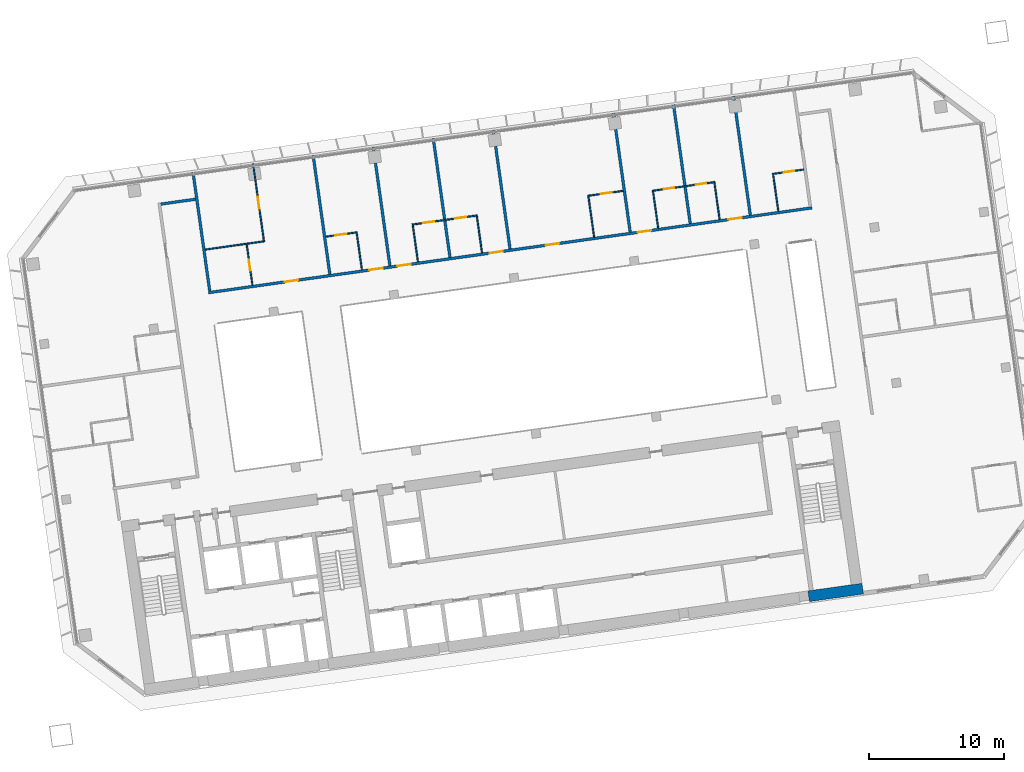
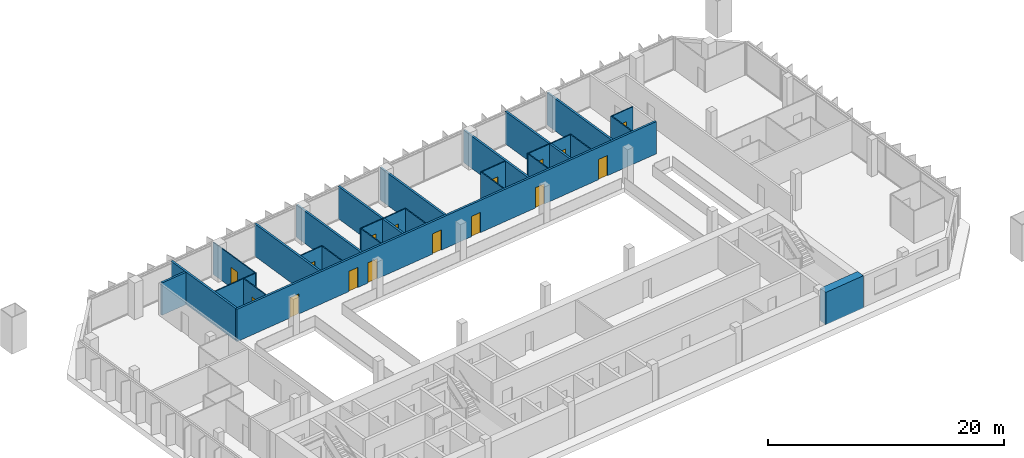
# One storey, part 20 of 24: 26 walls, 16 doors, 16 openings.
"""IFC4 building model written with IfcOpenShell, lengths in metres."""

import ifcopenshell
import ifcopenshell.guid

model = None  # the IFC model being written
_history = None  # IfcOwnerHistory: only IFC2X3 demands one
_inside = {}  # id of a spatial element -> (the spatial element, [elements in it])
_under = {}  # id of a project, library or spatial element -> (it, [spatial elements below it])
_declared = {}  # id of a project -> (the project, [libraries it declares])
_typed = {}  # id of a type object -> (the type object, [elements of that type])
_made_of = {}  # id of a material, layer set ... -> (it, [elements and type objects made of it])


def new_model(schema):
    """Start an empty IFC model of exactly this schema.

    Asked for "IFC4X3", IfcOpenShell would pick the latest addendum, in which some entities
    have other attributes; the version numbers below select the first issue.
    IFC2X3 requires an IfcOwnerHistory on every rooted entity: one is made here for all.
    """
    global model, _history
    if schema == "IFC4X3":
        model = ifcopenshell.file(schema_version=(4, 3, 0, 0))
    else:
        model = ifcopenshell.file(schema=schema)
    _inside.clear()
    _under.clear()
    _declared.clear()
    _typed.clear()
    _made_of.clear()
    _history = None
    if model.schema == "IFC2X3":
        org = make("IfcOrganization", Name="unknown")
        user = make(
            "IfcPersonAndOrganization",
            ThePerson=make("IfcPerson", FamilyName="unknown"),
            TheOrganization=org,
        )
        app = make(
            "IfcApplication",
            ApplicationDeveloper=org,
            Version="unknown",
            ApplicationFullName="unknown",
            ApplicationIdentifier="unknown",
        )
        _history = make(
            "IfcOwnerHistory",
            OwningUser=user,
            OwningApplication=app,
            ChangeAction="ADDED",
            CreationDate=0,
        )
    return model


def make(cls, **values):
    """One entity of the class cls with the attributes given. An attribute that is None is left unset."""
    return model.create_entity(
        cls, **{name: value for name, value in values.items() if value is not None}
    )


def rooted(cls, **values):
    """An entity with a GlobalId (a new one), such as an element, a storey or a relation."""
    return make(cls, GlobalId=ifcopenshell.guid.new(), OwnerHistory=_history, **values)


def si_unit(unit_type, name, prefix=None):
    """IfcSIUnit, for example si_unit("LENGTHUNIT", "METRE", prefix="MILLI")."""
    return make("IfcSIUnit", UnitType=unit_type, Prefix=prefix, Name=name)


def assignment(units):
    """IfcUnitAssignment: the units of a project."""
    return None if units is None else make("IfcUnitAssignment", Units=units)


def point(xyz):
    """IfcCartesianPoint."""
    return None if xyz is None else make("IfcCartesianPoint", Coordinates=xyz)


def direction(xyz):
    """IfcDirection."""
    return None if xyz is None else make("IfcDirection", DirectionRatios=xyz)


def frame(location, z_axis=None, x_axis=None):
    """IfcAxis2Placement3D, a coordinate frame: its origin and axes. An axis left out is left unset."""
    return make(
        "IfcAxis2Placement3D",
        Location=point(location),
        Axis=direction(z_axis),
        RefDirection=direction(x_axis),
    )


def frame_2d(location, x_axis=None):
    """IfcAxis2Placement2D, a coordinate frame in the plane: its origin and x axis."""
    return make(
        "IfcAxis2Placement2D", Location=point(location), RefDirection=direction(x_axis)
    )


def origin():
    """The frame at (0, 0, 0) with its axes left unset."""
    return frame((0.0, 0.0, 0.0))


def place(relative_to, where):
    """IfcLocalPlacement: puts the frame where relative to a parent placement (None: the world)."""
    return make(
        "IfcLocalPlacement", PlacementRelTo=relative_to, RelativePlacement=where
    )


def context(
    kind, dimensions, precision=None, world=None, true_north=None, identifier=None
):
    """IfcGeometricRepresentationContext, for example the 3D "Model" context."""
    return make(
        "IfcGeometricRepresentationContext",
        ContextIdentifier=identifier,
        ContextType=kind,
        CoordinateSpaceDimension=dimensions,
        Precision=precision,
        WorldCoordinateSystem=world,
        TrueNorth=true_north,
    )


def subcontext(parent, identifier, kind, view, scale=None):
    """IfcGeometricRepresentationSubContext, for example "Body" below "Model"."""
    return make(
        "IfcGeometricRepresentationSubContext",
        ContextIdentifier=identifier,
        ContextType=kind,
        ParentContext=parent,
        TargetScale=scale,
        TargetView=view,
    )


def project(units=None, contexts=None):
    """IfcProject with its units and contexts."""
    return rooted(
        "IfcProject",
        Name="project",
        RepresentationContexts=contexts,
        UnitsInContext=assignment(units),
    )


def spatial(cls, under=None, at=None, **own):
    """A site, building, storey or space (cls), placed at a placement, below another one or the project."""
    s = rooted(cls, ObjectPlacement=at, **own)
    if under is not None:
        _under.setdefault(under.id(), (under, []))[1].append(s)
    return s


def profile(cls, at=None, kind="AREA", **sizes):
    """A parametric profile (cls). Its sizes go by their IFC names, for example OverallWidth=200.0."""
    return make(cls, ProfileType=kind, Position=at, **sizes)


def rectangle(**sizes):
    """IfcRectangleProfileDef."""
    return profile("IfcRectangleProfileDef", **sizes)


def extrude(swept, where, along, depth):
    """IfcExtrudedAreaSolid: the profile swept, set in the frame where, extruded along a direction by depth."""
    return make(
        "IfcExtrudedAreaSolid",
        SweptArea=swept,
        Position=where,
        ExtrudedDirection=direction(along),
        Depth=depth,
    )


def shape(context_of_items, identifier, shape_type, items):
    """IfcShapeRepresentation: the items that make up one representation, for example the "Body"."""
    return make(
        "IfcShapeRepresentation",
        ContextOfItems=context_of_items,
        RepresentationIdentifier=identifier,
        RepresentationType=shape_type,
        Items=items,
    )


def material(Name=None, Category=None):
    """IfcMaterial."""
    return make("IfcMaterial", Name=Name, Category=Category)


def layer(
    of_material, thickness, ventilated=None, Name=None, Category=None, Priority=None
):
    """IfcMaterialLayer: one layer of a wall or slab, of a material (None: an air gap)."""
    return make(
        "IfcMaterialLayer",
        Material=of_material,
        LayerThickness=thickness,
        IsVentilated=ventilated,
        Name=Name,
        Category=Category,
        Priority=Priority,
    )


def layer_set(layers, Name=None):
    """IfcMaterialLayerSet."""
    return make("IfcMaterialLayerSet", MaterialLayers=layers, LayerSetName=Name)


def made_of(thing, what):
    """Note that an element or type object is made of a material, layer set ...; save() writes the relation."""
    if what is not None:
        _made_of.setdefault(what.id(), (what, []))[1].append(thing)
    return thing


def type_object(cls, material=None, **own):
    """A type object (cls), such as IfcWallType, which elements share."""
    return made_of(rooted(cls, **own), material)


def element(
    cls,
    number,
    at=None,
    inside=None,
    cuts=None,
    type_object=None,
    material=None,
    context=None,
    identifier="Body",
    shape_type=None,
    held_by="IfcProductDefinitionShape",
    body=None,
    shapes=None,
    **own,
):
    """One element of the class cls, such as IfcWall. Its Tag is "e" and its number.

    at: its placement. inside: the storey or other place that contains it. cuts: it is an
    opening in that element (IfcRelVoidsElement). A single representation is given by context,
    identifier, shape_type and body (its items); several are given by shapes. held_by: the class
    of the entity that holds the representations. save() writes the other relations.
    """
    e = rooted(cls, Tag="e%d" % number, ObjectPlacement=at, **own)
    if body is not None:
        shapes = [shape(context, identifier, shape_type, body)]
    if shapes is not None:
        e.Representation = make(held_by, Representations=shapes)
    if inside is not None:
        _inside.setdefault(inside.id(), (inside, []))[1].append(e)
    if cuts is not None:
        rooted(
            "IfcRelVoidsElement", RelatingBuildingElement=cuts, RelatedOpeningElement=e
        )
    if type_object is not None:
        _typed.setdefault(type_object.id(), (type_object, []))[1].append(e)
    return made_of(e, material)


def fill(opening, filler):
    """IfcRelFillsElement: the door or window that sits in an opening."""
    return rooted(
        "IfcRelFillsElement",
        RelatingOpeningElement=opening,
        RelatedBuildingElement=filler,
    )


def aggregate(whole, parts):
    """IfcRelAggregates: a whole, such as a stair, and the parts it consists of."""
    return rooted("IfcRelAggregates", RelatingObject=whole, RelatedObjects=parts)


def save(model, path):
    """Write the relations noted so far, then the file.

    IfcRelAggregates (storeys below a building ...), IfcRelContainedInSpatialStructure (elements
    in a storey), IfcRelDefinesByType, IfcRelAssociatesMaterial and IfcRelDeclares: one each for
    every whole, place, type object, material and project.
    """
    for whole, parts in _under.values():
        aggregate(whole, parts)
    for where, things in _inside.values():
        rooted(
            "IfcRelContainedInSpatialStructure",
            RelatedElements=things,
            RelatingStructure=where,
        )
    for kind, things in _typed.values():
        rooted("IfcRelDefinesByType", RelatedObjects=things, RelatingType=kind)
    for what, things in _made_of.values():
        rooted("IfcRelAssociatesMaterial", RelatedObjects=things, RelatingMaterial=what)
    for by, libraries in _declared.values():
        rooted("IfcRelDeclares", RelatingContext=by, RelatedDefinitions=libraries)
    model.write(path)


model = new_model("IFC4")

# Units and contexts
model_context = context("Model", 3, precision=1e-05, world=origin(), true_north=direction((0.0, 1.0)))
body_context = subcontext(model_context, "Body", "Model", "MODEL_VIEW")
ifc_project = project(units=[si_unit("LENGTHUNIT", "METRE"), si_unit("AREAUNIT", "SQUARE_METRE"), si_unit("VOLUMEUNIT", "CUBIC_METRE"), si_unit("PLANEANGLEUNIT", "RADIAN"), si_unit("MASSUNIT", "GRAM", prefix="KILO")], contexts=[model_context])

# Site, building, storey
site_placement = place(None, origin())
site = spatial("IfcSite", under=ifc_project, at=site_placement, CompositionType="ELEMENT")
building_placement = place(site_placement, origin())
building = spatial("IfcBuilding", under=site, at=building_placement, Name="Mirante Cascada Hotel Towers", CompositionType="ELEMENT")
storey_placement = place(building_placement, frame((0.0, 0.0, 132.9)))
storey = spatial("IfcBuildingStorey", under=building, at=storey_placement, Name="L30", CompositionType="ELEMENT", Elevation=132.9)

# Wall, openings, doors
ifc_material_1 = material(Name="Fire-rated plasterboard on metal studs")
ifc_layer_1 = layer(ifc_material_1, 0.2)
ifc_layer_set_1 = layer_set([ifc_layer_1], Name="Compartment wall 200 EI 120")
wall_type_1 = type_object("IfcWallType", Name="Compartment wall 200 EI 120", PredefinedType="PARTITIONING", material=ifc_layer_set_1)
wall_1_placement = place(storey_placement, frame((86.638, 16.0582, 0.0), z_axis=(0.0, 0.0, 1.0), x_axis=(-0.9902681, -0.1391726, 0.0)))
wall_1 = element("IfcWall", 1, at=wall_1_placement, inside=storey, type_object=wall_type_1, Name="Wall 2-L30-12", PredefinedType="PARTITIONING", context=body_context, shape_type="SweptSolid", body=[
    extrude(rectangle(XDim=45.2, YDim=0.2, at=frame_2d((22.6, 0.0))), origin(), (0.0, 0.0, 1.0), 3.35),
])
opening_1_placement = place(wall_1_placement, frame((38.5, 0.0, 0.0)))
opening_1 = element("IfcOpeningElement", 2, at=opening_1_placement, cuts=wall_1, Name="Opening D2-L30-04", PredefinedType="OPENING", context=body_context, shape_type="SweptSolid", body=[
    extrude(rectangle(XDim=1.0, YDim=2.1, at=frame_2d((0.5, 1.05))), frame((0.0, 0.1, 0.0), z_axis=(0.0, -1.0, 0.0), x_axis=(1.0, 0.0, 0.0)), (0.0, 0.0, 1.0), 0.2),
])
opening_2_placement = place(wall_1_placement, frame((32.15, 0.0, 0.0)))
opening_2 = element("IfcOpeningElement", 3, at=opening_2_placement, cuts=wall_1, Name="Opening D2-L30-05", PredefinedType="OPENING", context=body_context, shape_type="SweptSolid", body=[
    extrude(rectangle(XDim=1.0, YDim=2.1, at=frame_2d((0.5, 1.05))), frame((0.0, 0.1, 0.0), z_axis=(0.0, -1.0, 0.0), x_axis=(1.0, 0.0, 0.0)), (0.0, 0.0, 1.0), 0.2),
])
opening_3_placement = place(wall_1_placement, frame((30.05, 0.0, 0.0)))
opening_3 = element("IfcOpeningElement", 4, at=opening_3_placement, cuts=wall_1, Name="Opening D2-L30-06", PredefinedType="OPENING", context=body_context, shape_type="SweptSolid", body=[
    extrude(rectangle(XDim=1.0, YDim=2.1, at=frame_2d((0.5, 1.05))), frame((0.0, 0.1, 0.0), z_axis=(0.0, -1.0, 0.0), x_axis=(1.0, 0.0, 0.0)), (0.0, 0.0, 1.0), 0.2),
])
opening_4_placement = place(wall_1_placement, frame((23.15, 0.0, 0.0)))
opening_4 = element("IfcOpeningElement", 5, at=opening_4_placement, cuts=wall_1, Name="Opening D2-L30-07", PredefinedType="OPENING", context=body_context, shape_type="SweptSolid", body=[
    extrude(rectangle(XDim=1.0, YDim=2.1, at=frame_2d((0.5, 1.05))), frame((0.0, 0.1, 0.0), z_axis=(0.0, -1.0, 0.0), x_axis=(1.0, 0.0, 0.0)), (0.0, 0.0, 1.0), 0.2),
])
opening_5_placement = place(wall_1_placement, frame((18.95, 0.0, 0.0)))
opening_5 = element("IfcOpeningElement", 6, at=opening_5_placement, cuts=wall_1, Name="Opening D2-L30-08", PredefinedType="OPENING", context=body_context, shape_type="SweptSolid", body=[
    extrude(rectangle(XDim=1.0, YDim=2.1, at=frame_2d((0.5, 1.05))), frame((0.0, 0.1, 0.0), z_axis=(0.0, -1.0, 0.0), x_axis=(1.0, 0.0, 0.0)), (0.0, 0.0, 1.0), 0.2),
])
opening_6_placement = place(wall_1_placement, frame((12.05, 0.0, 0.0)))
opening_6 = element("IfcOpeningElement", 7, at=opening_6_placement, cuts=wall_1, Name="Opening D2-L30-09", PredefinedType="OPENING", context=body_context, shape_type="SweptSolid", body=[
    extrude(rectangle(XDim=1.0, YDim=2.1, at=frame_2d((0.5, 1.05))), frame((0.0, 0.1, 0.0), z_axis=(0.0, -1.0, 0.0), x_axis=(1.0, 0.0, 0.0)), (0.0, 0.0, 1.0), 0.2),
])
opening_7_placement = place(wall_1_placement, frame((5.25, 0.0, 0.0)))
opening_7 = element("IfcOpeningElement", 8, at=opening_7_placement, cuts=wall_1, Name="Opening D2-L30-10", PredefinedType="OPENING", context=body_context, shape_type="SweptSolid", body=[
    extrude(rectangle(XDim=1.0, YDim=2.1, at=frame_2d((0.5, 1.05))), frame((0.0, 0.1, 0.0), z_axis=(0.0, -1.0, 0.0), x_axis=(1.0, 0.0, 0.0)), (0.0, 0.0, 1.0), 0.2),
])
ifc_material_2 = material(Name="Fire-rated timber door leaf", Category="wood")
door_type_1 = type_object("IfcDoorType", Name="Entrance door DG1 1000x2100 EI 60", OperationType="SINGLE_SWING_LEFT", PredefinedType="DOOR", material=ifc_material_2)
door_1_placement = place(opening_1_placement, frame((1.0, 0.0, 0.0), z_axis=(0.0, 0.0, 1.0), x_axis=(-1.0, 0.0, 0.0)))
door_1 = element("IfcDoor", 9, at=door_1_placement, inside=storey, type_object=door_type_1, Name="Door D2-L30-04", OperationType="SINGLE_SWING_RIGHT", OverallHeight=2.1, OverallWidth=1.0, PredefinedType="DOOR", context=body_context, shape_type="SweptSolid", body=[
    extrude(rectangle(XDim=1.0, YDim=2.1, at=frame_2d((0.5, 1.05))), frame((0.0, 0.025, 0.0), z_axis=(0.0, -1.0, 0.0), x_axis=(1.0, 0.0, 0.0)), (0.0, 0.0, 1.0), 0.05),
])
fill(opening_1, door_1)
door_2_placement = place(opening_2_placement, frame((1.0, 0.0, 0.0), z_axis=(0.0, 0.0, 1.0), x_axis=(-1.0, 0.0, 0.0)))
door_2 = element("IfcDoor", 10, at=door_2_placement, inside=storey, type_object=door_type_1, Name="Door D2-L30-05", OperationType="SINGLE_SWING_RIGHT", OverallHeight=2.1, OverallWidth=1.0, PredefinedType="DOOR", context=body_context, shape_type="SweptSolid", body=[
    extrude(rectangle(XDim=1.0, YDim=2.1, at=frame_2d((0.5, 1.05))), frame((0.0, 0.025, 0.0), z_axis=(0.0, -1.0, 0.0), x_axis=(1.0, 0.0, 0.0)), (0.0, 0.0, 1.0), 0.05),
])
fill(opening_2, door_2)
door_3_placement = place(opening_3_placement, frame((1.0, 0.0, 0.0), z_axis=(0.0, 0.0, 1.0), x_axis=(-1.0, 0.0, 0.0)))
door_3 = element("IfcDoor", 11, at=door_3_placement, inside=storey, type_object=door_type_1, Name="Door D2-L30-06", OperationType="SINGLE_SWING_RIGHT", OverallHeight=2.1, OverallWidth=1.0, PredefinedType="DOOR", context=body_context, shape_type="SweptSolid", body=[
    extrude(rectangle(XDim=1.0, YDim=2.1, at=frame_2d((0.5, 1.05))), frame((0.0, 0.025, 0.0), z_axis=(0.0, -1.0, 0.0), x_axis=(1.0, 0.0, 0.0)), (0.0, 0.0, 1.0), 0.05),
])
fill(opening_3, door_3)
door_4_placement = place(opening_4_placement, frame((1.0, 0.0, 0.0), z_axis=(0.0, 0.0, 1.0), x_axis=(-1.0, 0.0, 0.0)))
door_4 = element("IfcDoor", 12, at=door_4_placement, inside=storey, type_object=door_type_1, Name="Door D2-L30-07", OperationType="SINGLE_SWING_RIGHT", OverallHeight=2.1, OverallWidth=1.0, PredefinedType="DOOR", context=body_context, shape_type="SweptSolid", body=[
    extrude(rectangle(XDim=1.0, YDim=2.1, at=frame_2d((0.5, 1.05))), frame((0.0, 0.025, 0.0), z_axis=(0.0, -1.0, 0.0), x_axis=(1.0, 0.0, 0.0)), (0.0, 0.0, 1.0), 0.05),
])
fill(opening_4, door_4)
door_5_placement = place(opening_5_placement, frame((1.0, 0.0, 0.0), z_axis=(0.0, 0.0, 1.0), x_axis=(-1.0, 0.0, 0.0)))
door_5 = element("IfcDoor", 13, at=door_5_placement, inside=storey, type_object=door_type_1, Name="Door D2-L30-08", OperationType="SINGLE_SWING_RIGHT", OverallHeight=2.1, OverallWidth=1.0, PredefinedType="DOOR", context=body_context, shape_type="SweptSolid", body=[
    extrude(rectangle(XDim=1.0, YDim=2.1, at=frame_2d((0.5, 1.05))), frame((0.0, 0.025, 0.0), z_axis=(0.0, -1.0, 0.0), x_axis=(1.0, 0.0, 0.0)), (0.0, 0.0, 1.0), 0.05),
])
fill(opening_5, door_5)
door_6_placement = place(opening_6_placement, frame((1.0, 0.0, 0.0), z_axis=(0.0, 0.0, 1.0), x_axis=(-1.0, 0.0, 0.0)))
door_6 = element("IfcDoor", 14, at=door_6_placement, inside=storey, type_object=door_type_1, Name="Door D2-L30-09", OperationType="SINGLE_SWING_RIGHT", OverallHeight=2.1, OverallWidth=1.0, PredefinedType="DOOR", context=body_context, shape_type="SweptSolid", body=[
    extrude(rectangle(XDim=1.0, YDim=2.1, at=frame_2d((0.5, 1.05))), frame((0.0, 0.025, 0.0), z_axis=(0.0, -1.0, 0.0), x_axis=(1.0, 0.0, 0.0)), (0.0, 0.0, 1.0), 0.05),
])
fill(opening_6, door_6)
door_7_placement = place(opening_7_placement, frame((1.0, 0.0, 0.0), z_axis=(0.0, 0.0, 1.0), x_axis=(-1.0, 0.0, 0.0)))
door_7 = element("IfcDoor", 15, at=door_7_placement, inside=storey, type_object=door_type_1, Name="Door D2-L30-10", OperationType="SINGLE_SWING_RIGHT", OverallHeight=2.1, OverallWidth=1.0, PredefinedType="DOOR", context=body_context, shape_type="SweptSolid", body=[
    extrude(rectangle(XDim=1.0, YDim=2.1, at=frame_2d((0.5, 1.05))), frame((0.0, 0.025, 0.0), z_axis=(0.0, -1.0, 0.0), x_axis=(1.0, 0.0, 0.0)), (0.0, 0.0, 1.0), 0.05),
])
fill(opening_7, door_7)

# Walls
wall_2_placement = place(storey_placement, frame((40.9036, 16.6995, 0.0), z_axis=(0.0, 0.0, 1.0), x_axis=(-0.9902647, -0.1391971, 0.0)))
element("IfcWall", 16, at=wall_2_placement, inside=storey, type_object=wall_type_1, Name="Wall 2-L30-20", PredefinedType="PARTITIONING", context=body_context, shape_type="SweptSolid", body=[
    extrude(rectangle(XDim=2.5999, YDim=0.2, at=frame_2d((1.3, 0.0))), origin(), (0.0, 0.0, 1.0), 3.35),
])
for number, where, z_axis, x_axis, name in (
    (17, (40.7243, 18.6939, 0.0), (0.0, 0.0, 1.0), (0.1391794, -0.9902672, 0.0), "Wall 2-L30-28"),
    (18, (50.8754, 11.1331, 0.0), (0.0, 0.0, 1.0), (-0.1391794, 0.9902672, 0.0), "Wall 2-L30-31"),
    (19, (55.3316, 11.7594, 0.0), (0.0, 0.0, 1.0), (-0.1391794, 0.9902672, 0.0), "Wall 2-L30-33"),
):
    element("IfcWall", number, at=place(storey_placement, frame(where, z_axis=z_axis, x_axis=x_axis)), inside=storey, type_object=wall_type_1, Name=name, PredefinedType="PARTITIONING", context=body_context, shape_type="SweptSolid", body=[
        extrude(rectangle(XDim=8.9, YDim=0.2, at=frame_2d((4.45, 0.0))), origin(), (0.0, 0.0, 1.0), 3.35),
    ])
wall_3_placement = place(storey_placement, frame((59.7878, 12.3857, 0.0), z_axis=(0.0, 0.0, 1.0), x_axis=(-0.13917, 0.9902685, 0.0)))
element("IfcWall", 20, at=wall_3_placement, inside=storey, type_object=wall_type_1, Name="Wall 2-L30-35", PredefinedType="PARTITIONING", context=body_context, shape_type="SweptSolid", body=[
    extrude(rectangle(XDim=8.8999, YDim=0.2, at=frame_2d((4.45, 0.0))), origin(), (0.0, 0.0, 1.0), 3.35),
])
for number, where, z_axis, x_axis, name in (
    (21, (64.244, 13.0119, 0.0), (0.0, 0.0, 1.0), (-0.1391684, 0.9902687, 0.0), "Wall 2-L30-37"),
    (22, (73.1564, 14.2645, 0.0), (0.0, 0.0, 1.0), (-0.1391684, 0.9902687, 0.0), "Wall 2-L30-39"),
    (23, (77.6126, 14.8908, 0.0), (0.0, 0.0, 1.0), (-0.1391684, 0.9902687, 0.0), "Wall 2-L30-41"),
):
    element("IfcWall", number, at=place(storey_placement, frame(where, z_axis=z_axis, x_axis=x_axis)), inside=storey, type_object=wall_type_1, Name=name, PredefinedType="PARTITIONING", context=body_context, shape_type="SweptSolid", body=[
        extrude(rectangle(XDim=8.9, YDim=0.2, at=frame_2d((4.45, 0.0))), origin(), (0.0, 0.0, 1.0), 3.35),
    ])
wall_4_placement = place(storey_placement, frame((82.0688, 15.5171, 0.0), z_axis=(0.0, 0.0, 1.0), x_axis=(-0.13917, 0.9902685, 0.0)))
element("IfcWall", 24, at=wall_4_placement, inside=storey, type_object=wall_type_1, Name="Wall 2-L30-43", PredefinedType="PARTITIONING", context=body_context, shape_type="SweptSolid", body=[
    extrude(rectangle(XDim=8.8999, YDim=0.2, at=frame_2d((4.45, 0.0))), origin(), (0.0, 0.0, 1.0), 3.35),
])

# Wall, opening, door
ifc_material_3 = material(Name="Plasterboard on metal studs")
ifc_layer_2 = layer(ifc_material_3, 0.1)
ifc_layer_set_2 = layer_set([ifc_layer_2], Name="Partition 100")
wall_type_2 = type_object("IfcWallType", Name="Partition 100", PredefinedType="PARTITIONING", material=ifc_layer_set_2)
wall_5_placement = place(storey_placement, frame((50.5847, 13.9198, 0.0), z_axis=(0.0, 0.0, 1.0), x_axis=(0.9902705, 0.1391561, 0.0)))
wall_5 = element("IfcWall", 25, at=wall_5_placement, inside=storey, type_object=wall_type_2, Name="Wall 2-L30-13", PredefinedType="PARTITIONING", context=body_context, shape_type="SweptSolid", body=[
    extrude(rectangle(XDim=2.25, YDim=0.1, at=frame_2d((1.125, 0.0))), origin(), (0.0, 0.0, 1.0), 3.35),
])
opening_8_placement = place(wall_5_placement, frame((0.7, 0.0, 0.0)))
opening_8 = element("IfcOpeningElement", 26, at=opening_8_placement, cuts=wall_5, Name="Opening D2-L30-11", PredefinedType="OPENING", context=body_context, shape_type="SweptSolid", body=[
    extrude(rectangle(XDim=0.8, YDim=2.1, at=frame_2d((0.4, 1.05))), frame((0.0, 0.05, 0.0), z_axis=(0.0, -1.0, 0.0), x_axis=(1.0, 0.0, 0.0)), (0.0, 0.0, 1.0), 0.1),
])
ifc_material_4 = material(Name="Timber door leaf", Category="wood")
door_type_2 = type_object("IfcDoorType", Name="Bathroom door DG4 800x2100", OperationType="SINGLE_SWING_LEFT", PredefinedType="DOOR", material=ifc_material_4)
door_8_placement = place(opening_8_placement, origin())
door_8 = element("IfcDoor", 27, at=door_8_placement, inside=storey, type_object=door_type_2, Name="Door D2-L30-11", OperationType="SINGLE_SWING_LEFT", OverallHeight=2.1, OverallWidth=0.8, PredefinedType="DOOR", context=body_context, shape_type="SweptSolid", body=[
    extrude(rectangle(XDim=0.8, YDim=2.1, at=frame_2d((0.4, 1.05))), frame((0.0, 0.025, 0.0), z_axis=(0.0, -1.0, 0.0), x_axis=(1.0, 0.0, 0.0)), (0.0, 0.0, 1.0), 0.05),
])
fill(opening_8, door_8)

# Wall, openings, doors
wall_6_placement = place(storey_placement, frame((61.8243, 15.4994, 0.0), z_axis=(0.0, 0.0, 1.0), x_axis=(-0.9902666, -0.1391838, 0.0)))
wall_6 = element("IfcWall", 28, at=wall_6_placement, inside=storey, type_object=wall_type_2, Name="Wall 2-L30-14", PredefinedType="PARTITIONING", context=body_context, shape_type="SweptSolid", body=[
    extrude(rectangle(XDim=4.9, YDim=0.1, at=frame_2d((2.45, 0.0))), origin(), (0.0, 0.0, 1.0), 3.35),
])
opening_9_placement = place(wall_6_placement, frame((3.25, 0.0, 0.0)))
opening_9 = element("IfcOpeningElement", 29, at=opening_9_placement, cuts=wall_6, Name="Opening D2-L30-12", PredefinedType="OPENING", context=body_context, shape_type="SweptSolid", body=[
    extrude(rectangle(XDim=0.8, YDim=2.1, at=frame_2d((0.4, 1.05))), frame((0.0, 0.05, 0.0), z_axis=(0.0, -1.0, 0.0), x_axis=(1.0, 0.0, 0.0)), (0.0, 0.0, 1.0), 0.1),
])
opening_10_placement = place(wall_6_placement, frame((0.85, 0.0, 0.0)))
opening_10 = element("IfcOpeningElement", 30, at=opening_10_placement, cuts=wall_6, Name="Opening D2-L30-13", PredefinedType="OPENING", context=body_context, shape_type="SweptSolid", body=[
    extrude(rectangle(XDim=0.8, YDim=2.1, at=frame_2d((0.4, 1.05))), frame((0.0, 0.05, 0.0), z_axis=(0.0, -1.0, 0.0), x_axis=(1.0, 0.0, 0.0)), (0.0, 0.0, 1.0), 0.1),
])
door_9_placement = place(opening_9_placement, frame((0.8, 0.0, 0.0), z_axis=(0.0, 0.0, 1.0), x_axis=(-1.0, 0.0, 0.0)))
door_9 = element("IfcDoor", 31, at=door_9_placement, inside=storey, type_object=door_type_2, Name="Door D2-L30-12", OperationType="SINGLE_SWING_RIGHT", OverallHeight=2.1, OverallWidth=0.8, PredefinedType="DOOR", context=body_context, shape_type="SweptSolid", body=[
    extrude(rectangle(XDim=0.8, YDim=2.1, at=frame_2d((0.4, 1.05))), frame((0.0, 0.025, 0.0), z_axis=(0.0, -1.0, 0.0), x_axis=(1.0, 0.0, 0.0)), (0.0, 0.0, 1.0), 0.05),
])
fill(opening_9, door_9)
door_10_placement = place(opening_10_placement, frame((0.8, 0.0, 0.0), z_axis=(0.0, 0.0, 1.0), x_axis=(-1.0, 0.0, 0.0)))
door_10 = element("IfcDoor", 32, at=door_10_placement, inside=storey, type_object=door_type_2, Name="Door D2-L30-13", OperationType="SINGLE_SWING_RIGHT", OverallHeight=2.1, OverallWidth=0.8, PredefinedType="DOOR", context=body_context, shape_type="SweptSolid", body=[
    extrude(rectangle(XDim=0.8, YDim=2.1, at=frame_2d((0.4, 1.05))), frame((0.0, 0.025, 0.0), z_axis=(0.0, -1.0, 0.0), x_axis=(1.0, 0.0, 0.0)), (0.0, 0.0, 1.0), 0.05),
])
fill(opening_10, door_10)

wall_7_placement = place(storey_placement, frame((74.7968, 17.3226, 0.0), z_axis=(0.0, 0.0, 1.0), x_axis=(0.9902682, 0.139172, 0.0)))
wall_7 = element("IfcWall", 33, at=wall_7_placement, inside=storey, type_object=wall_type_2, Name="Wall 2-L30-15", PredefinedType="PARTITIONING", context=body_context, shape_type="SweptSolid", body=[
    extrude(rectangle(XDim=4.6999, YDim=0.1, at=frame_2d((2.35, 0.0))), origin(), (0.0, 0.0, 1.0), 3.35),
])
opening_11_placement = place(wall_7_placement, frame((0.85, 0.0, 0.0)))
opening_11 = element("IfcOpeningElement", 34, at=opening_11_placement, cuts=wall_7, Name="Opening D2-L30-14", PredefinedType="OPENING", context=body_context, shape_type="SweptSolid", body=[
    extrude(rectangle(XDim=0.8, YDim=2.1, at=frame_2d((0.4, 1.05))), frame((0.0, 0.05, 0.0), z_axis=(0.0, -1.0, 0.0), x_axis=(1.0, 0.0, 0.0)), (0.0, 0.0, 1.0), 0.1),
])
opening_12_placement = place(wall_7_placement, frame((3.25, 0.0, 0.0)))
opening_12 = element("IfcOpeningElement", 35, at=opening_12_placement, cuts=wall_7, Name="Opening D2-L30-15", PredefinedType="OPENING", context=body_context, shape_type="SweptSolid", body=[
    extrude(rectangle(XDim=0.8, YDim=2.1, at=frame_2d((0.4, 1.05))), frame((0.0, 0.05, 0.0), z_axis=(0.0, -1.0, 0.0), x_axis=(1.0, 0.0, 0.0)), (0.0, 0.0, 1.0), 0.1),
])
door_11_placement = place(opening_11_placement, origin())
door_11 = element("IfcDoor", 36, at=door_11_placement, inside=storey, type_object=door_type_2, Name="Door D2-L30-14", OperationType="SINGLE_SWING_LEFT", OverallHeight=2.1, OverallWidth=0.8, PredefinedType="DOOR", context=body_context, shape_type="SweptSolid", body=[
    extrude(rectangle(XDim=0.8, YDim=2.1, at=frame_2d((0.4, 1.05))), frame((0.0, 0.025, 0.0), z_axis=(0.0, -1.0, 0.0), x_axis=(1.0, 0.0, 0.0)), (0.0, 0.0, 1.0), 0.05),
])
fill(opening_11, door_11)
door_12_placement = place(opening_12_placement, origin())
door_12 = element("IfcDoor", 37, at=door_12_placement, inside=storey, type_object=door_type_2, Name="Door D2-L30-15", OperationType="SINGLE_SWING_LEFT", OverallHeight=2.1, OverallWidth=0.8, PredefinedType="DOOR", context=body_context, shape_type="SweptSolid", body=[
    extrude(rectangle(XDim=0.8, YDim=2.1, at=frame_2d((0.4, 1.05))), frame((0.0, 0.025, 0.0), z_axis=(0.0, -1.0, 0.0), x_axis=(1.0, 0.0, 0.0)), (0.0, 0.0, 1.0), 0.05),
])
fill(opening_12, door_12)

# Wall, opening, door
wall_8_placement = place(storey_placement, frame((86.0363, 18.9022, 0.0), z_axis=(0.0, 0.0, 1.0), x_axis=(-0.9902643, -0.1391997, 0.0)))
wall_8 = element("IfcWall", 38, at=wall_8_placement, inside=storey, type_object=wall_type_2, Name="Wall 2-L30-16", PredefinedType="PARTITIONING", context=body_context, shape_type="SweptSolid", body=[
    extrude(rectangle(XDim=2.25, YDim=0.1, at=frame_2d((1.125, 0.0))), origin(), (0.0, 0.0, 1.0), 3.35),
])
opening_13_placement = place(wall_8_placement, frame((0.7, 0.0, 0.0)))
opening_13 = element("IfcOpeningElement", 39, at=opening_13_placement, cuts=wall_8, Name="Opening D2-L30-16", PredefinedType="OPENING", context=body_context, shape_type="SweptSolid", body=[
    extrude(rectangle(XDim=0.8, YDim=2.1, at=frame_2d((0.4, 1.05))), frame((0.0, 0.05, 0.0), z_axis=(0.0, -1.0, 0.0), x_axis=(1.0, 0.0, 0.0)), (0.0, 0.0, 1.0), 0.1),
])
door_13_placement = place(opening_13_placement, frame((0.8, 0.0, 0.0), z_axis=(0.0, 0.0, 1.0), x_axis=(-1.0, 0.0, 0.0)))
door_13 = element("IfcDoor", 40, at=door_13_placement, inside=storey, type_object=door_type_2, Name="Door D2-L30-16", OperationType="SINGLE_SWING_RIGHT", OverallHeight=2.1, OverallWidth=0.8, PredefinedType="DOOR", context=body_context, shape_type="SweptSolid", body=[
    extrude(rectangle(XDim=0.8, YDim=2.1, at=frame_2d((0.4, 1.05))), frame((0.0, 0.025, 0.0), z_axis=(0.0, -1.0, 0.0), x_axis=(1.0, 0.0, 0.0)), (0.0, 0.0, 1.0), 0.05),
])
fill(opening_13, door_13)

# Wall
wall_9_placement = place(storey_placement, frame((41.6306, 12.9643, 0.0), z_axis=(0.0, 0.0, 1.0), x_axis=(0.9902679, 0.1391745, 0.0)))
element("IfcWall", 41, at=wall_9_placement, inside=storey, type_object=wall_type_2, Name="Wall 2-L30-17", PredefinedType="PARTITIONING", context=body_context, shape_type="SweptSolid", body=[
    extrude(rectangle(XDim=4.3499, YDim=0.1, at=frame_2d((2.175, 0.0))), origin(), (0.0, 0.0, 1.0), 3.35),
])

# Wall, opening, door
wall_10_placement = place(storey_placement, frame((72.626, 17.3204, 0.0), z_axis=(0.0, 0.0, 1.0), x_axis=(-0.9902677, -0.1391755, 0.0)))
wall_10 = element("IfcWall", 42, at=wall_10_placement, inside=storey, type_object=wall_type_2, Name="Wall 2-L30-18", PredefinedType="PARTITIONING", context=body_context, shape_type="SweptSolid", body=[
    extrude(rectangle(XDim=2.55, YDim=0.1, at=frame_2d((1.275, 0.0))), origin(), (0.0, 0.0, 1.0), 3.35),
])
opening_14_placement = place(wall_10_placement, frame((0.85, 0.0, 0.0)))
opening_14 = element("IfcOpeningElement", 43, at=opening_14_placement, cuts=wall_10, Name="Opening D2-L30-17", PredefinedType="OPENING", context=body_context, shape_type="SweptSolid", body=[
    extrude(rectangle(XDim=0.8, YDim=2.1, at=frame_2d((0.4, 1.05))), frame((0.0, 0.05, 0.0), z_axis=(0.0, -1.0, 0.0), x_axis=(1.0, 0.0, 0.0)), (0.0, 0.0, 1.0), 0.1),
])
door_14_placement = place(opening_14_placement, frame((0.8, 0.0, 0.0), z_axis=(0.0, 0.0, 1.0), x_axis=(-1.0, 0.0, 0.0)))
door_14 = element("IfcDoor", 44, at=door_14_placement, inside=storey, type_object=door_type_2, Name="Door D2-L30-17", OperationType="SINGLE_SWING_RIGHT", OverallHeight=2.1, OverallWidth=0.8, PredefinedType="DOOR", context=body_context, shape_type="SweptSolid", body=[
    extrude(rectangle(XDim=0.8, YDim=2.1, at=frame_2d((0.4, 1.05))), frame((0.0, 0.025, 0.0), z_axis=(0.0, -1.0, 0.0), x_axis=(1.0, 0.0, 0.0)), (0.0, 0.0, 1.0), 0.05),
])
fill(opening_14, door_14)

wall_11_placement = place(storey_placement, frame((45.1318, 10.3259, 0.0), z_axis=(0.0, 0.0, 1.0), x_axis=(-0.1391488, 0.9902715, 0.0)))
wall_11 = element("IfcWall", 45, at=wall_11_placement, inside=storey, type_object=wall_type_2, Name="Wall 2-L30-29", PredefinedType="PARTITIONING", context=body_context, shape_type="SweptSolid", body=[
    extrude(rectangle(XDim=3.05, YDim=0.1, at=frame_2d((1.525, 0.0))), origin(), (0.0, 0.0, 1.0), 3.35),
])
opening_15_placement = place(wall_11_placement, frame((1.1, 0.0, 0.0)))
opening_15 = element("IfcOpeningElement", 46, at=opening_15_placement, cuts=wall_11, Name="Opening D2-L30-24", PredefinedType="OPENING", context=body_context, shape_type="SweptSolid", body=[
    extrude(rectangle(XDim=0.8, YDim=2.1, at=frame_2d((0.4, 1.05))), frame((0.0, 0.05, 0.0), z_axis=(0.0, -1.0, 0.0), x_axis=(1.0, 0.0, 0.0)), (0.0, 0.0, 1.0), 0.1),
])
door_15_placement = place(opening_15_placement, frame((0.8, 0.0, 0.0), z_axis=(0.0, 0.0, 1.0), x_axis=(-1.0, 0.0, 0.0)))
door_15 = element("IfcDoor", 47, at=door_15_placement, inside=storey, type_object=door_type_2, Name="Door D2-L30-24", OperationType="SINGLE_SWING_RIGHT", OverallHeight=2.1, OverallWidth=0.8, PredefinedType="DOOR", context=body_context, shape_type="SweptSolid", body=[
    extrude(rectangle(XDim=0.8, YDim=2.1, at=frame_2d((0.4, 1.05))), frame((0.0, 0.025, 0.0), z_axis=(0.0, -1.0, 0.0), x_axis=(1.0, 0.0, 0.0)), (0.0, 0.0, 1.0), 0.05),
])
fill(opening_15, door_15)

wall_12_placement = place(storey_placement, frame((45.1805, 19.3202, 0.0), z_axis=(0.0, 0.0, 1.0), x_axis=(0.1391786, -0.9902673, 0.0)))
wall_12 = element("IfcWall", 48, at=wall_12_placement, inside=storey, type_object=wall_type_2, Name="Wall 2-L30-30", PredefinedType="PARTITIONING", context=body_context, shape_type="SweptSolid", body=[
    extrude(rectangle(XDim=5.85, YDim=0.1, at=frame_2d((2.925, 0.0))), origin(), (0.0, 0.0, 1.0), 3.35),
])
opening_16_placement = place(wall_12_placement, frame((2.45, 0.0, 0.0)))
opening_16 = element("IfcOpeningElement", 49, at=opening_16_placement, cuts=wall_12, Name="Opening D2-L30-25", PredefinedType="OPENING", context=body_context, shape_type="SweptSolid", body=[
    extrude(rectangle(XDim=0.9, YDim=2.1, at=frame_2d((0.45, 1.05))), frame((0.0, 0.05, 0.0), z_axis=(0.0, -1.0, 0.0), x_axis=(1.0, 0.0, 0.0)), (0.0, 0.0, 1.0), 0.1),
])
ifc_material_5 = material(Name="Timber door leaf", Category="wood")
door_type_3 = type_object("IfcDoorType", Name="Room door DG3 900x2100", OperationType="SINGLE_SWING_LEFT", PredefinedType="DOOR", material=ifc_material_5)
door_16_placement = place(opening_16_placement, origin())
door_16 = element("IfcDoor", 50, at=door_16_placement, inside=storey, type_object=door_type_3, Name="Door D2-L30-25", OperationType="SINGLE_SWING_LEFT", OverallHeight=2.1, OverallWidth=0.9, PredefinedType="DOOR", context=body_context, shape_type="SweptSolid", body=[
    extrude(rectangle(XDim=0.9, YDim=2.1, at=frame_2d((0.45, 1.05))), frame((0.0, 0.025, 0.0), z_axis=(0.0, -1.0, 0.0), x_axis=(1.0, 0.0, 0.0)), (0.0, 0.0, 1.0), 0.05),
])
fill(opening_16, door_16)

# Walls
wall_13_placement = place(storey_placement, frame((52.8554, 14.2894, 0.0), z_axis=(0.0, 0.0, 1.0), x_axis=(0.1391564, -0.9902704, 0.0)))
element("IfcWall", 51, at=wall_13_placement, inside=storey, type_object=wall_type_2, Name="Wall 2-L30-32", PredefinedType="PARTITIONING", context=body_context, shape_type="SweptSolid", body=[
    extrude(rectangle(XDim=2.85, YDim=0.1, at=frame_2d((1.425, 0.0))), origin(), (0.0, 0.0, 1.0), 3.35),
])
wall_14_placement = place(storey_placement, frame((57.0284, 14.7749, 0.0), z_axis=(0.0, 0.0, 1.0), x_axis=(0.1391963, -0.9902648, 0.0)))
element("IfcWall", 52, at=wall_14_placement, inside=storey, type_object=wall_type_2, Name="Wall 2-L30-34", PredefinedType="PARTITIONING", context=body_context, shape_type="SweptSolid", body=[
    extrude(rectangle(XDim=2.7501, YDim=0.1, at=frame_2d((1.3751, 0.0))), origin(), (0.0, 0.0, 1.0), 3.35),
])
wall_15_placement = place(storey_placement, frame((61.7817, 15.4429, 0.0), z_axis=(0.0, 0.0, 1.0), x_axis=(0.1391657, -0.9902691, 0.0)))
element("IfcWall", 53, at=wall_15_placement, inside=storey, type_object=wall_type_2, Name="Wall 2-L30-36", PredefinedType="PARTITIONING", context=body_context, shape_type="SweptSolid", body=[
    extrude(rectangle(XDim=2.75, YDim=0.1, at=frame_2d((1.375, 0.0))), origin(), (0.0, 0.0, 1.0), 3.35),
])
wall_16_placement = place(storey_placement, frame((70.0443, 17.0081, 0.0), z_axis=(0.0, 0.0, 1.0), x_axis=(0.1391721, -0.9902682, 0.0)))
element("IfcWall", 54, at=wall_16_placement, inside=storey, type_object=wall_type_2, Name="Wall 2-L30-38", PredefinedType="PARTITIONING", context=body_context, shape_type="SweptSolid", body=[
    extrude(rectangle(XDim=3.1501, YDim=0.1, at=frame_2d((1.575, 0.0))), origin(), (0.0, 0.0, 1.0), 3.35),
])
for number, where, z_axis, x_axis, name in (
    (55, (74.8533, 17.28, 0.0), (0.0, 0.0, 1.0), (0.1391657, -0.9902691, 0.0), "Wall 2-L30-40"),
    (56, (79.4085, 17.9202, 0.0), (0.0, 0.0, 1.0), (0.1391657, -0.9902691, 0.0), "Wall 2-L30-42"),
):
    element("IfcWall", number, at=place(storey_placement, frame(where, z_axis=z_axis, x_axis=x_axis)), inside=storey, type_object=wall_type_2, Name=name, PredefinedType="PARTITIONING", context=body_context, shape_type="SweptSolid", body=[
        extrude(rectangle(XDim=2.75, YDim=0.1, at=frame_2d((1.375, 0.0))), origin(), (0.0, 0.0, 1.0), 3.35),
    ])
wall_17_placement = place(storey_placement, frame((83.7517, 18.6316, 0.0), z_axis=(0.0, 0.0, 1.0), x_axis=(0.1391909, -0.9902656, 0.0)))
element("IfcWall", 57, at=wall_17_placement, inside=storey, type_object=wall_type_2, Name="Wall 2-L30-44", PredefinedType="PARTITIONING", context=body_context, shape_type="SweptSolid", body=[
    extrude(rectangle(XDim=2.85, YDim=0.1, at=frame_2d((1.425, 0.0))), origin(), (0.0, 0.0, 1.0), 3.35),
])
ifc_material_6 = material(Name="Concrete C50/60", Category="concrete")
ifc_layer_3 = layer(ifc_material_6, 0.8)
ifc_layer_set_3 = layer_set([ifc_layer_3], Name="RC core wall 800 C50/60")
wall_type_3 = type_object("IfcWallType", Name="RC core wall 800 C50/60", PredefinedType="SHEAR", material=ifc_layer_set_3)
wall_18_placement = place(storey_placement, frame((86.3958, -12.7559, 0.0), z_axis=(0.0, 0.0, 1.0), x_axis=(0.9902665, 0.1391845, 0.0)))
element("IfcWall", 58, at=wall_18_placement, inside=storey, type_object=wall_type_3, Name="Core wall T2:L30:1.7", PredefinedType="SHEAR", context=body_context, shape_type="SweptSolid", body=[
    extrude(rectangle(XDim=4.05, YDim=0.8, at=frame_2d((2.025, 0.0))), origin(), (0.0, 0.0, 1.0), 3.35),
])

save(model, "model.ifc")
